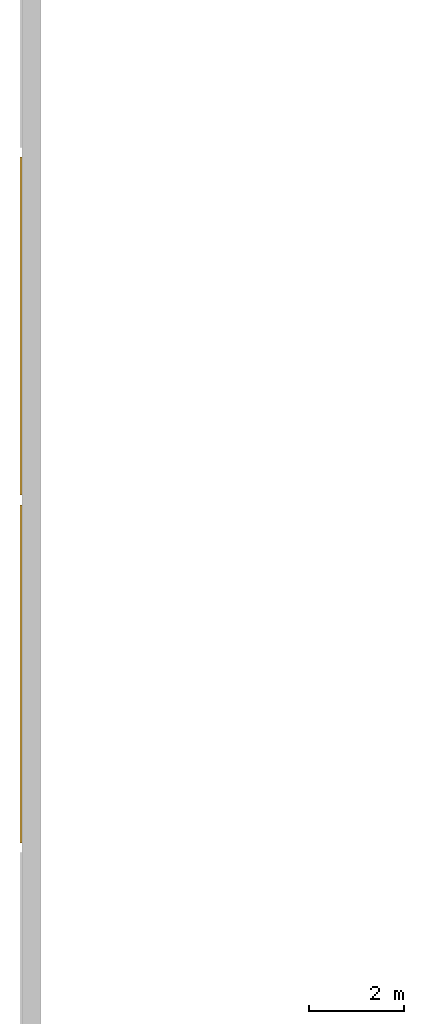
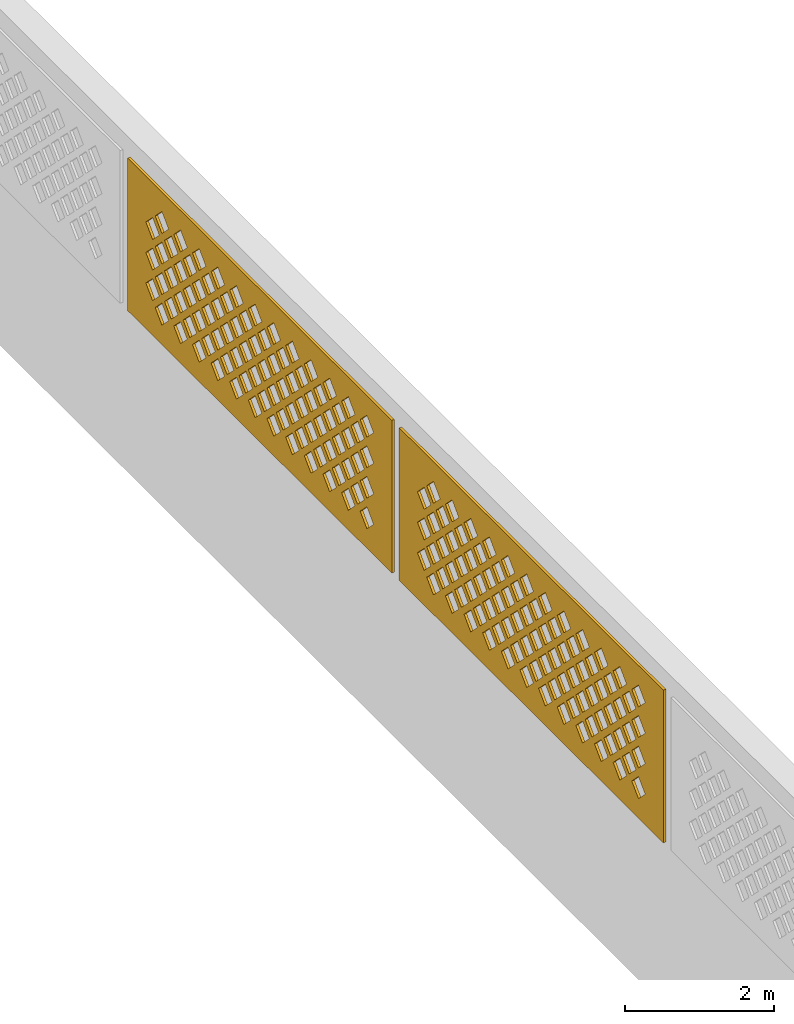
# One storey, part 30 of 69: 2 coverings.
"""IFC4 building model written with IfcOpenShell, lengths in metres."""

from ifc_helpers import new_model, si_unit, direction, frame, origin, place, context, subcontext, project, spatial, polyline, outline, extrude, material, layer, layer_set, type_object, element, save


model = new_model("IFC4")

# Units and contexts
model_context = context("Model", 3, precision=1e-05, world=origin(), true_north=direction((0.0, 1.0)))
body_context = subcontext(model_context, "Body", "Model", "MODEL_VIEW")
ifc_project = project(units=[si_unit("LENGTHUNIT", "METRE"), si_unit("AREAUNIT", "SQUARE_METRE"), si_unit("VOLUMEUNIT", "CUBIC_METRE"), si_unit("PLANEANGLEUNIT", "RADIAN"), si_unit("MASSUNIT", "GRAM", prefix="KILO")], contexts=[model_context])

# Site, building, storey
site_placement = place(None, origin())
site = spatial("IfcSite", under=ifc_project, at=site_placement, CompositionType="ELEMENT")
building_placement = place(site_placement, origin())
building = spatial("IfcBuilding", under=site, at=building_placement, Name="Noorbagh Ring Tower", CompositionType="ELEMENT")
storey_placement = place(building_placement, frame((0.0, 0.0, 19.5)))
storey = spatial("IfcBuildingStorey", under=building, at=storey_placement, Name="L03", CompositionType="ELEMENT", Elevation=19.5)

# Coverings
ifc_material = material(Name="Red sandstone jali", Category="masonry")
ifc_layer = layer(ifc_material, 0.0400390625)
ifc_layer_set = layer_set([ifc_layer], Name="Red sandstone jali")
covering_type = type_object("IfcCoveringType", Name="STH-BAND", PredefinedType="USERDEFINED", material=ifc_layer_set)
covering_1_placement = place(storey_placement, frame((-160.0400390625, 8.54296875, 2.699951171875), z_axis=(-1.0, 0.0, 0.0), x_axis=(0.0, -1.0, 0.0)))
element("IfcCovering", 1, at=covering_1_placement, inside=storey, type_object=covering_type, Name="Jali band", ObjectType="JALI SCREEN", PredefinedType="USERDEFINED", context=body_context, shape_type="SweptSolid", body=[
    extrude(outline(polyline([(0.0, 0.0), (7.0859375, 0.0), (7.0859375, 2.5), (0.0, 2.5), (0.0, 0.0)]), holes=[polyline([(0.73779296875, 0.5), (0.91796875, 0.320068359375), (1.097900390625, 0.5), (0.91796875, 0.679931640625), (0.73779296875, 0.5)]), polyline([(1.23779296875, 0.5), (1.41796875, 0.320068359375), (1.597900390625, 0.5), (1.41796875, 0.679931640625), (1.23779296875, 0.5)]), polyline([(1.73779296875, 0.5), (1.91796875, 0.320068359375), (2.097900390625, 0.5), (1.91796875, 0.679931640625), (1.73779296875, 0.5)]), polyline([(2.23779296875, 0.5), (2.41796875, 0.320068359375), (2.597900390625, 0.5), (2.41796875, 0.679931640625), (2.23779296875, 0.5)]), polyline([(2.73779296875, 0.5), (2.91796875, 0.320068359375), (3.097900390625, 0.5), (2.91796875, 0.679931640625), (2.73779296875, 0.5)]), polyline([(3.23779296875, 0.5), (3.41796875, 0.320068359375), (3.597900390625, 0.5), (3.41796875, 0.679931640625), (3.23779296875, 0.5)]), polyline([(3.73779296875, 0.5), (3.91796875, 0.320068359375), (4.097900390625, 0.5), (3.91796875, 0.679931640625), (3.73779296875, 0.5)]), polyline([(4.23779296875, 0.5), (4.41796875, 0.320068359375), (4.597900390625, 0.5), (4.41796875, 0.679931640625), (4.23779296875, 0.5)]), polyline([(4.73779296875, 0.5), (4.91796875, 0.320068359375), (5.097900390625, 0.5), (4.91796875, 0.679931640625), (4.73779296875, 0.5)]), polyline([(5.23779296875, 0.5), (5.41796875, 0.320068359375), (5.597900390625, 0.5), (5.41796875, 0.679931640625), (5.23779296875, 0.5)]), polyline([(5.73779296875, 0.5), (5.91796875, 0.320068359375), (6.097900390625, 0.5), (5.91796875, 0.679931640625), (5.73779296875, 0.5)]), polyline([(6.23779296875, 0.5), (6.41796875, 0.320068359375), (6.597900390625, 0.5), (6.41796875, 0.679931640625), (6.23779296875, 0.5)]), polyline([(0.48779296875, 0.75), (0.66796875, 0.570068359375), (0.847900390625, 0.75), (0.66796875, 0.929931640625), (0.48779296875, 0.75)]), polyline([(0.98779296875, 0.75), (1.16796875, 0.570068359375), (1.347900390625, 0.75), (1.16796875, 0.929931640625), (0.98779296875, 0.75)]), polyline([(1.48779296875, 0.75), (1.66796875, 0.570068359375), (1.847900390625, 0.75), (1.66796875, 0.929931640625), (1.48779296875, 0.75)]), polyline([(1.98779296875, 0.75), (2.16796875, 0.570068359375), (2.347900390625, 0.75), (2.16796875, 0.929931640625), (1.98779296875, 0.75)]), polyline([(2.48779296875, 0.75), (2.66796875, 0.570068359375), (2.847900390625, 0.75), (2.66796875, 0.929931640625), (2.48779296875, 0.75)]), polyline([(2.98779296875, 0.75), (3.16796875, 0.570068359375), (3.347900390625, 0.75), (3.16796875, 0.929931640625), (2.98779296875, 0.75)]), polyline([(3.48779296875, 0.75), (3.66796875, 0.570068359375), (3.847900390625, 0.75), (3.66796875, 0.929931640625), (3.48779296875, 0.75)]), polyline([(3.98779296875, 0.75), (4.16796875, 0.570068359375), (4.347900390625, 0.75), (4.16796875, 0.929931640625), (3.98779296875, 0.75)]), polyline([(4.48779296875, 0.75), (4.66796875, 0.570068359375), (4.847900390625, 0.75), (4.66796875, 0.929931640625), (4.48779296875, 0.75)]), polyline([(4.98779296875, 0.75), (5.16796875, 0.570068359375), (5.347900390625, 0.75), (5.16796875, 0.929931640625), (4.98779296875, 0.75)]), polyline([(5.48779296875, 0.75), (5.66796875, 0.570068359375), (5.847900390625, 0.75), (5.66796875, 0.929931640625), (5.48779296875, 0.75)]), polyline([(5.98779296875, 0.75), (6.16796875, 0.570068359375), (6.347900390625, 0.75), (6.16796875, 0.929931640625), (5.98779296875, 0.75)]), polyline([(0.73779296875, 1.0), (0.91796875, 0.820068359375), (1.097900390625, 1.0), (0.91796875, 1.179931640625), (0.73779296875, 1.0)]), polyline([(1.23779296875, 1.0), (1.41796875, 0.820068359375), (1.597900390625, 1.0), (1.41796875, 1.179931640625), (1.23779296875, 1.0)]), polyline([(1.73779296875, 1.0), (1.91796875, 0.820068359375), (2.097900390625, 1.0), (1.91796875, 1.179931640625), (1.73779296875, 1.0)]), polyline([(2.23779296875, 1.0), (2.41796875, 0.820068359375), (2.597900390625, 1.0), (2.41796875, 1.179931640625), (2.23779296875, 1.0)]), polyline([(2.73779296875, 1.0), (2.91796875, 0.820068359375), (3.097900390625, 1.0), (2.91796875, 1.179931640625), (2.73779296875, 1.0)]), polyline([(3.23779296875, 1.0), (3.41796875, 0.820068359375), (3.597900390625, 1.0), (3.41796875, 1.179931640625), (3.23779296875, 1.0)]), polyline([(3.73779296875, 1.0), (3.91796875, 0.820068359375), (4.097900390625, 1.0), (3.91796875, 1.179931640625), (3.73779296875, 1.0)]), polyline([(4.23779296875, 1.0), (4.41796875, 0.820068359375), (4.597900390625, 1.0), (4.41796875, 1.179931640625), (4.23779296875, 1.0)]), polyline([(4.73779296875, 1.0), (4.91796875, 0.820068359375), (5.097900390625, 1.0), (4.91796875, 1.179931640625), (4.73779296875, 1.0)]), polyline([(5.23779296875, 1.0), (5.41796875, 0.820068359375), (5.597900390625, 1.0), (5.41796875, 1.179931640625), (5.23779296875, 1.0)]), polyline([(5.73779296875, 1.0), (5.91796875, 0.820068359375), (6.097900390625, 1.0), (5.91796875, 1.179931640625), (5.73779296875, 1.0)]), polyline([(6.23779296875, 1.0), (6.41796875, 0.820068359375), (6.597900390625, 1.0), (6.41796875, 1.179931640625), (6.23779296875, 1.0)]), polyline([(0.48779296875, 1.25), (0.66796875, 1.070068359375), (0.847900390625, 1.25), (0.66796875, 1.429931640625), (0.48779296875, 1.25)]), polyline([(0.98779296875, 1.25), (1.16796875, 1.070068359375), (1.347900390625, 1.25), (1.16796875, 1.429931640625), (0.98779296875, 1.25)]), polyline([(1.48779296875, 1.25), (1.66796875, 1.070068359375), (1.847900390625, 1.25), (1.66796875, 1.429931640625), (1.48779296875, 1.25)]), polyline([(1.98779296875, 1.25), (2.16796875, 1.070068359375), (2.347900390625, 1.25), (2.16796875, 1.429931640625), (1.98779296875, 1.25)]), polyline([(2.48779296875, 1.25), (2.66796875, 1.070068359375), (2.847900390625, 1.25), (2.66796875, 1.429931640625), (2.48779296875, 1.25)]), polyline([(2.98779296875, 1.25), (3.16796875, 1.070068359375), (3.347900390625, 1.25), (3.16796875, 1.429931640625), (2.98779296875, 1.25)]), polyline([(3.48779296875, 1.25), (3.66796875, 1.070068359375), (3.847900390625, 1.25), (3.66796875, 1.429931640625), (3.48779296875, 1.25)]), polyline([(3.98779296875, 1.25), (4.16796875, 1.070068359375), (4.347900390625, 1.25), (4.16796875, 1.429931640625), (3.98779296875, 1.25)]), polyline([(4.48779296875, 1.25), (4.66796875, 1.070068359375), (4.847900390625, 1.25), (4.66796875, 1.429931640625), (4.48779296875, 1.25)]), polyline([(4.98779296875, 1.25), (5.16796875, 1.070068359375), (5.347900390625, 1.25), (5.16796875, 1.429931640625), (4.98779296875, 1.25)]), polyline([(5.48779296875, 1.25), (5.66796875, 1.070068359375), (5.847900390625, 1.25), (5.66796875, 1.429931640625), (5.48779296875, 1.25)]), polyline([(5.98779296875, 1.25), (6.16796875, 1.070068359375), (6.347900390625, 1.25), (6.16796875, 1.429931640625), (5.98779296875, 1.25)]), polyline([(0.73779296875, 1.5), (0.91796875, 1.320068359375), (1.097900390625, 1.5), (0.91796875, 1.679931640625), (0.73779296875, 1.5)]), polyline([(1.23779296875, 1.5), (1.41796875, 1.320068359375), (1.597900390625, 1.5), (1.41796875, 1.679931640625), (1.23779296875, 1.5)]), polyline([(1.73779296875, 1.5), (1.91796875, 1.320068359375), (2.097900390625, 1.5), (1.91796875, 1.679931640625), (1.73779296875, 1.5)]), polyline([(2.23779296875, 1.5), (2.41796875, 1.320068359375), (2.597900390625, 1.5), (2.41796875, 1.679931640625), (2.23779296875, 1.5)]), polyline([(2.73779296875, 1.5), (2.91796875, 1.320068359375), (3.097900390625, 1.5), (2.91796875, 1.679931640625), (2.73779296875, 1.5)]), polyline([(3.23779296875, 1.5), (3.41796875, 1.320068359375), (3.597900390625, 1.5), (3.41796875, 1.679931640625), (3.23779296875, 1.5)]), polyline([(3.73779296875, 1.5), (3.91796875, 1.320068359375), (4.097900390625, 1.5), (3.91796875, 1.679931640625), (3.73779296875, 1.5)]), polyline([(4.23779296875, 1.5), (4.41796875, 1.320068359375), (4.597900390625, 1.5), (4.41796875, 1.679931640625), (4.23779296875, 1.5)]), polyline([(4.73779296875, 1.5), (4.91796875, 1.320068359375), (5.097900390625, 1.5), (4.91796875, 1.679931640625), (4.73779296875, 1.5)]), polyline([(5.23779296875, 1.5), (5.41796875, 1.320068359375), (5.597900390625, 1.5), (5.41796875, 1.679931640625), (5.23779296875, 1.5)]), polyline([(5.73779296875, 1.5), (5.91796875, 1.320068359375), (6.097900390625, 1.5), (5.91796875, 1.679931640625), (5.73779296875, 1.5)]), polyline([(6.23779296875, 1.5), (6.41796875, 1.320068359375), (6.597900390625, 1.5), (6.41796875, 1.679931640625), (6.23779296875, 1.5)]), polyline([(0.48779296875, 1.75), (0.66796875, 1.570068359375), (0.847900390625, 1.75), (0.66796875, 1.929931640625), (0.48779296875, 1.75)]), polyline([(0.98779296875, 1.75), (1.16796875, 1.570068359375), (1.347900390625, 1.75), (1.16796875, 1.929931640625), (0.98779296875, 1.75)]), polyline([(1.48779296875, 1.75), (1.66796875, 1.570068359375), (1.847900390625, 1.75), (1.66796875, 1.929931640625), (1.48779296875, 1.75)]), polyline([(1.98779296875, 1.75), (2.16796875, 1.570068359375), (2.347900390625, 1.75), (2.16796875, 1.929931640625), (1.98779296875, 1.75)]), polyline([(2.48779296875, 1.75), (2.66796875, 1.570068359375), (2.847900390625, 1.75), (2.66796875, 1.929931640625), (2.48779296875, 1.75)]), polyline([(2.98779296875, 1.75), (3.16796875, 1.570068359375), (3.347900390625, 1.75), (3.16796875, 1.929931640625), (2.98779296875, 1.75)]), polyline([(3.48779296875, 1.75), (3.66796875, 1.570068359375), (3.847900390625, 1.75), (3.66796875, 1.929931640625), (3.48779296875, 1.75)]), polyline([(3.98779296875, 1.75), (4.16796875, 1.570068359375), (4.347900390625, 1.75), (4.16796875, 1.929931640625), (3.98779296875, 1.75)]), polyline([(4.48779296875, 1.75), (4.66796875, 1.570068359375), (4.847900390625, 1.75), (4.66796875, 1.929931640625), (4.48779296875, 1.75)]), polyline([(4.98779296875, 1.75), (5.16796875, 1.570068359375), (5.347900390625, 1.75), (5.16796875, 1.929931640625), (4.98779296875, 1.75)]), polyline([(5.48779296875, 1.75), (5.66796875, 1.570068359375), (5.847900390625, 1.75), (5.66796875, 1.929931640625), (5.48779296875, 1.75)]), polyline([(5.98779296875, 1.75), (6.16796875, 1.570068359375), (6.347900390625, 1.75), (6.16796875, 1.929931640625), (5.98779296875, 1.75)]), polyline([(0.73779296875, 2.0), (0.91796875, 1.820068359375), (1.097900390625, 2.0), (0.91796875, 2.179931640625), (0.73779296875, 2.0)]), polyline([(1.23779296875, 2.0), (1.41796875, 1.820068359375), (1.597900390625, 2.0), (1.41796875, 2.179931640625), (1.23779296875, 2.0)]), polyline([(1.73779296875, 2.0), (1.91796875, 1.820068359375), (2.097900390625, 2.0), (1.91796875, 2.179931640625), (1.73779296875, 2.0)]), polyline([(2.23779296875, 2.0), (2.41796875, 1.820068359375), (2.597900390625, 2.0), (2.41796875, 2.179931640625), (2.23779296875, 2.0)]), polyline([(2.73779296875, 2.0), (2.91796875, 1.820068359375), (3.097900390625, 2.0), (2.91796875, 2.179931640625), (2.73779296875, 2.0)]), polyline([(3.23779296875, 2.0), (3.41796875, 1.820068359375), (3.597900390625, 2.0), (3.41796875, 2.179931640625), (3.23779296875, 2.0)]), polyline([(3.73779296875, 2.0), (3.91796875, 1.820068359375), (4.097900390625, 2.0), (3.91796875, 2.179931640625), (3.73779296875, 2.0)]), polyline([(4.23779296875, 2.0), (4.41796875, 1.820068359375), (4.597900390625, 2.0), (4.41796875, 2.179931640625), (4.23779296875, 2.0)]), polyline([(4.73779296875, 2.0), (4.91796875, 1.820068359375), (5.097900390625, 2.0), (4.91796875, 2.179931640625), (4.73779296875, 2.0)]), polyline([(5.23779296875, 2.0), (5.41796875, 1.820068359375), (5.597900390625, 2.0), (5.41796875, 2.179931640625), (5.23779296875, 2.0)]), polyline([(5.73779296875, 2.0), (5.91796875, 1.820068359375), (6.097900390625, 2.0), (5.91796875, 2.179931640625), (5.73779296875, 2.0)]), polyline([(6.23779296875, 2.0), (6.41796875, 1.820068359375), (6.597900390625, 2.0), (6.41796875, 2.179931640625), (6.23779296875, 2.0)])]), origin(), (0.0, 0.0, -1.0), 0.0400390625),
])
covering_2_placement = place(storey_placement, frame((-160.0400390625, 1.257080078125, 2.699951171875), z_axis=(-1.0, 0.0, 0.0), x_axis=(0.0, -1.0, 0.0)))
element("IfcCovering", 2, at=covering_2_placement, inside=storey, type_object=covering_type, Name="Jali band", ObjectType="JALI SCREEN", PredefinedType="USERDEFINED", context=body_context, shape_type="SweptSolid", body=[
    extrude(outline(polyline([(0.0, 0.0), (7.085693359375, 0.0), (7.085693359375, 2.5), (0.0, 2.5), (0.0, 0.0)]), holes=[polyline([(0.73779296875, 0.5), (0.91796875, 0.320068359375), (1.097900390625, 0.5), (0.91796875, 0.679931640625), (0.73779296875, 0.5)]), polyline([(1.23779296875, 0.5), (1.41796875, 0.320068359375), (1.597900390625, 0.5), (1.41796875, 0.679931640625), (1.23779296875, 0.5)]), polyline([(1.73779296875, 0.5), (1.91796875, 0.320068359375), (2.097900390625, 0.5), (1.91796875, 0.679931640625), (1.73779296875, 0.5)]), polyline([(2.23779296875, 0.5), (2.41796875, 0.320068359375), (2.597900390625, 0.5), (2.41796875, 0.679931640625), (2.23779296875, 0.5)]), polyline([(2.73779296875, 0.5), (2.91796875, 0.320068359375), (3.097900390625, 0.5), (2.91796875, 0.679931640625), (2.73779296875, 0.5)]), polyline([(3.23779296875, 0.5), (3.41796875, 0.320068359375), (3.597900390625, 0.5), (3.41796875, 0.679931640625), (3.23779296875, 0.5)]), polyline([(3.73779296875, 0.5), (3.91796875, 0.320068359375), (4.097900390625, 0.5), (3.91796875, 0.679931640625), (3.73779296875, 0.5)]), polyline([(4.23779296875, 0.5), (4.41796875, 0.320068359375), (4.597900390625, 0.5), (4.41796875, 0.679931640625), (4.23779296875, 0.5)]), polyline([(4.73779296875, 0.5), (4.91796875, 0.320068359375), (5.097900390625, 0.5), (4.91796875, 0.679931640625), (4.73779296875, 0.5)]), polyline([(5.23779296875, 0.5), (5.41796875, 0.320068359375), (5.597900390625, 0.5), (5.41796875, 0.679931640625), (5.23779296875, 0.5)]), polyline([(5.73779296875, 0.5), (5.91796875, 0.320068359375), (6.097900390625, 0.5), (5.91796875, 0.679931640625), (5.73779296875, 0.5)]), polyline([(6.23779296875, 0.5), (6.41796875, 0.320068359375), (6.597900390625, 0.5), (6.41796875, 0.679931640625), (6.23779296875, 0.5)]), polyline([(0.48779296875, 0.75), (0.66796875, 0.570068359375), (0.847900390625, 0.75), (0.66796875, 0.929931640625), (0.48779296875, 0.75)]), polyline([(0.98779296875, 0.75), (1.16796875, 0.570068359375), (1.347900390625, 0.75), (1.16796875, 0.929931640625), (0.98779296875, 0.75)]), polyline([(1.48779296875, 0.75), (1.66796875, 0.570068359375), (1.847900390625, 0.75), (1.66796875, 0.929931640625), (1.48779296875, 0.75)]), polyline([(1.98779296875, 0.75), (2.16796875, 0.570068359375), (2.347900390625, 0.75), (2.16796875, 0.929931640625), (1.98779296875, 0.75)]), polyline([(2.48779296875, 0.75), (2.66796875, 0.570068359375), (2.847900390625, 0.75), (2.66796875, 0.929931640625), (2.48779296875, 0.75)]), polyline([(2.98779296875, 0.75), (3.16796875, 0.570068359375), (3.347900390625, 0.75), (3.16796875, 0.929931640625), (2.98779296875, 0.75)]), polyline([(3.48779296875, 0.75), (3.66796875, 0.570068359375), (3.847900390625, 0.75), (3.66796875, 0.929931640625), (3.48779296875, 0.75)]), polyline([(3.98779296875, 0.75), (4.16796875, 0.570068359375), (4.347900390625, 0.75), (4.16796875, 0.929931640625), (3.98779296875, 0.75)]), polyline([(4.48779296875, 0.75), (4.66796875, 0.570068359375), (4.847900390625, 0.75), (4.66796875, 0.929931640625), (4.48779296875, 0.75)]), polyline([(4.98779296875, 0.75), (5.16796875, 0.570068359375), (5.347900390625, 0.75), (5.16796875, 0.929931640625), (4.98779296875, 0.75)]), polyline([(5.48779296875, 0.75), (5.66796875, 0.570068359375), (5.847900390625, 0.75), (5.66796875, 0.929931640625), (5.48779296875, 0.75)]), polyline([(5.98779296875, 0.75), (6.16796875, 0.570068359375), (6.347900390625, 0.75), (6.16796875, 0.929931640625), (5.98779296875, 0.75)]), polyline([(0.73779296875, 1.0), (0.91796875, 0.820068359375), (1.097900390625, 1.0), (0.91796875, 1.179931640625), (0.73779296875, 1.0)]), polyline([(1.23779296875, 1.0), (1.41796875, 0.820068359375), (1.597900390625, 1.0), (1.41796875, 1.179931640625), (1.23779296875, 1.0)]), polyline([(1.73779296875, 1.0), (1.91796875, 0.820068359375), (2.097900390625, 1.0), (1.91796875, 1.179931640625), (1.73779296875, 1.0)]), polyline([(2.23779296875, 1.0), (2.41796875, 0.820068359375), (2.597900390625, 1.0), (2.41796875, 1.179931640625), (2.23779296875, 1.0)]), polyline([(2.73779296875, 1.0), (2.91796875, 0.820068359375), (3.097900390625, 1.0), (2.91796875, 1.179931640625), (2.73779296875, 1.0)]), polyline([(3.23779296875, 1.0), (3.41796875, 0.820068359375), (3.597900390625, 1.0), (3.41796875, 1.179931640625), (3.23779296875, 1.0)]), polyline([(3.73779296875, 1.0), (3.91796875, 0.820068359375), (4.097900390625, 1.0), (3.91796875, 1.179931640625), (3.73779296875, 1.0)]), polyline([(4.23779296875, 1.0), (4.41796875, 0.820068359375), (4.597900390625, 1.0), (4.41796875, 1.179931640625), (4.23779296875, 1.0)]), polyline([(4.73779296875, 1.0), (4.91796875, 0.820068359375), (5.097900390625, 1.0), (4.91796875, 1.179931640625), (4.73779296875, 1.0)]), polyline([(5.23779296875, 1.0), (5.41796875, 0.820068359375), (5.597900390625, 1.0), (5.41796875, 1.179931640625), (5.23779296875, 1.0)]), polyline([(5.73779296875, 1.0), (5.91796875, 0.820068359375), (6.097900390625, 1.0), (5.91796875, 1.179931640625), (5.73779296875, 1.0)]), polyline([(6.23779296875, 1.0), (6.41796875, 0.820068359375), (6.597900390625, 1.0), (6.41796875, 1.179931640625), (6.23779296875, 1.0)]), polyline([(0.48779296875, 1.25), (0.66796875, 1.070068359375), (0.847900390625, 1.25), (0.66796875, 1.429931640625), (0.48779296875, 1.25)]), polyline([(0.98779296875, 1.25), (1.16796875, 1.070068359375), (1.347900390625, 1.25), (1.16796875, 1.429931640625), (0.98779296875, 1.25)]), polyline([(1.48779296875, 1.25), (1.66796875, 1.070068359375), (1.847900390625, 1.25), (1.66796875, 1.429931640625), (1.48779296875, 1.25)]), polyline([(1.98779296875, 1.25), (2.16796875, 1.070068359375), (2.347900390625, 1.25), (2.16796875, 1.429931640625), (1.98779296875, 1.25)]), polyline([(2.48779296875, 1.25), (2.66796875, 1.070068359375), (2.847900390625, 1.25), (2.66796875, 1.429931640625), (2.48779296875, 1.25)]), polyline([(2.98779296875, 1.25), (3.16796875, 1.070068359375), (3.347900390625, 1.25), (3.16796875, 1.429931640625), (2.98779296875, 1.25)]), polyline([(3.48779296875, 1.25), (3.66796875, 1.070068359375), (3.847900390625, 1.25), (3.66796875, 1.429931640625), (3.48779296875, 1.25)]), polyline([(3.98779296875, 1.25), (4.16796875, 1.070068359375), (4.347900390625, 1.25), (4.16796875, 1.429931640625), (3.98779296875, 1.25)]), polyline([(4.48779296875, 1.25), (4.66796875, 1.070068359375), (4.847900390625, 1.25), (4.66796875, 1.429931640625), (4.48779296875, 1.25)]), polyline([(4.98779296875, 1.25), (5.16796875, 1.070068359375), (5.347900390625, 1.25), (5.16796875, 1.429931640625), (4.98779296875, 1.25)]), polyline([(5.48779296875, 1.25), (5.66796875, 1.070068359375), (5.847900390625, 1.25), (5.66796875, 1.429931640625), (5.48779296875, 1.25)]), polyline([(5.98779296875, 1.25), (6.16796875, 1.070068359375), (6.347900390625, 1.25), (6.16796875, 1.429931640625), (5.98779296875, 1.25)]), polyline([(0.73779296875, 1.5), (0.91796875, 1.320068359375), (1.097900390625, 1.5), (0.91796875, 1.679931640625), (0.73779296875, 1.5)]), polyline([(1.23779296875, 1.5), (1.41796875, 1.320068359375), (1.597900390625, 1.5), (1.41796875, 1.679931640625), (1.23779296875, 1.5)]), polyline([(1.73779296875, 1.5), (1.91796875, 1.320068359375), (2.097900390625, 1.5), (1.91796875, 1.679931640625), (1.73779296875, 1.5)]), polyline([(2.23779296875, 1.5), (2.41796875, 1.320068359375), (2.597900390625, 1.5), (2.41796875, 1.679931640625), (2.23779296875, 1.5)]), polyline([(2.73779296875, 1.5), (2.91796875, 1.320068359375), (3.097900390625, 1.5), (2.91796875, 1.679931640625), (2.73779296875, 1.5)]), polyline([(3.23779296875, 1.5), (3.41796875, 1.320068359375), (3.597900390625, 1.5), (3.41796875, 1.679931640625), (3.23779296875, 1.5)]), polyline([(3.73779296875, 1.5), (3.91796875, 1.320068359375), (4.097900390625, 1.5), (3.91796875, 1.679931640625), (3.73779296875, 1.5)]), polyline([(4.23779296875, 1.5), (4.41796875, 1.320068359375), (4.597900390625, 1.5), (4.41796875, 1.679931640625), (4.23779296875, 1.5)]), polyline([(4.73779296875, 1.5), (4.91796875, 1.320068359375), (5.097900390625, 1.5), (4.91796875, 1.679931640625), (4.73779296875, 1.5)]), polyline([(5.23779296875, 1.5), (5.41796875, 1.320068359375), (5.597900390625, 1.5), (5.41796875, 1.679931640625), (5.23779296875, 1.5)]), polyline([(5.73779296875, 1.5), (5.91796875, 1.320068359375), (6.097900390625, 1.5), (5.91796875, 1.679931640625), (5.73779296875, 1.5)]), polyline([(6.23779296875, 1.5), (6.41796875, 1.320068359375), (6.597900390625, 1.5), (6.41796875, 1.679931640625), (6.23779296875, 1.5)]), polyline([(0.48779296875, 1.75), (0.66796875, 1.570068359375), (0.847900390625, 1.75), (0.66796875, 1.929931640625), (0.48779296875, 1.75)]), polyline([(0.98779296875, 1.75), (1.16796875, 1.570068359375), (1.347900390625, 1.75), (1.16796875, 1.929931640625), (0.98779296875, 1.75)]), polyline([(1.48779296875, 1.75), (1.66796875, 1.570068359375), (1.847900390625, 1.75), (1.66796875, 1.929931640625), (1.48779296875, 1.75)]), polyline([(1.98779296875, 1.75), (2.16796875, 1.570068359375), (2.347900390625, 1.75), (2.16796875, 1.929931640625), (1.98779296875, 1.75)]), polyline([(2.48779296875, 1.75), (2.66796875, 1.570068359375), (2.847900390625, 1.75), (2.66796875, 1.929931640625), (2.48779296875, 1.75)]), polyline([(2.98779296875, 1.75), (3.16796875, 1.570068359375), (3.347900390625, 1.75), (3.16796875, 1.929931640625), (2.98779296875, 1.75)]), polyline([(3.48779296875, 1.75), (3.66796875, 1.570068359375), (3.847900390625, 1.75), (3.66796875, 1.929931640625), (3.48779296875, 1.75)]), polyline([(3.98779296875, 1.75), (4.16796875, 1.570068359375), (4.347900390625, 1.75), (4.16796875, 1.929931640625), (3.98779296875, 1.75)]), polyline([(4.48779296875, 1.75), (4.66796875, 1.570068359375), (4.847900390625, 1.75), (4.66796875, 1.929931640625), (4.48779296875, 1.75)]), polyline([(4.98779296875, 1.75), (5.16796875, 1.570068359375), (5.347900390625, 1.75), (5.16796875, 1.929931640625), (4.98779296875, 1.75)]), polyline([(5.48779296875, 1.75), (5.66796875, 1.570068359375), (5.847900390625, 1.75), (5.66796875, 1.929931640625), (5.48779296875, 1.75)]), polyline([(5.98779296875, 1.75), (6.16796875, 1.570068359375), (6.347900390625, 1.75), (6.16796875, 1.929931640625), (5.98779296875, 1.75)]), polyline([(0.73779296875, 2.0), (0.91796875, 1.820068359375), (1.097900390625, 2.0), (0.91796875, 2.179931640625), (0.73779296875, 2.0)]), polyline([(1.23779296875, 2.0), (1.41796875, 1.820068359375), (1.597900390625, 2.0), (1.41796875, 2.179931640625), (1.23779296875, 2.0)]), polyline([(1.73779296875, 2.0), (1.91796875, 1.820068359375), (2.097900390625, 2.0), (1.91796875, 2.179931640625), (1.73779296875, 2.0)]), polyline([(2.23779296875, 2.0), (2.41796875, 1.820068359375), (2.597900390625, 2.0), (2.41796875, 2.179931640625), (2.23779296875, 2.0)]), polyline([(2.73779296875, 2.0), (2.91796875, 1.820068359375), (3.097900390625, 2.0), (2.91796875, 2.179931640625), (2.73779296875, 2.0)]), polyline([(3.23779296875, 2.0), (3.41796875, 1.820068359375), (3.597900390625, 2.0), (3.41796875, 2.179931640625), (3.23779296875, 2.0)]), polyline([(3.73779296875, 2.0), (3.91796875, 1.820068359375), (4.097900390625, 2.0), (3.91796875, 2.179931640625), (3.73779296875, 2.0)]), polyline([(4.23779296875, 2.0), (4.41796875, 1.820068359375), (4.597900390625, 2.0), (4.41796875, 2.179931640625), (4.23779296875, 2.0)]), polyline([(4.73779296875, 2.0), (4.91796875, 1.820068359375), (5.097900390625, 2.0), (4.91796875, 2.179931640625), (4.73779296875, 2.0)]), polyline([(5.23779296875, 2.0), (5.41796875, 1.820068359375), (5.597900390625, 2.0), (5.41796875, 2.179931640625), (5.23779296875, 2.0)]), polyline([(5.73779296875, 2.0), (5.91796875, 1.820068359375), (6.097900390625, 2.0), (5.91796875, 2.179931640625), (5.73779296875, 2.0)]), polyline([(6.23779296875, 2.0), (6.41796875, 1.820068359375), (6.597900390625, 2.0), (6.41796875, 2.179931640625), (6.23779296875, 2.0)])]), origin(), (0.0, 0.0, -1.0), 0.0400390625),
])

save(model, "model.ifc")
